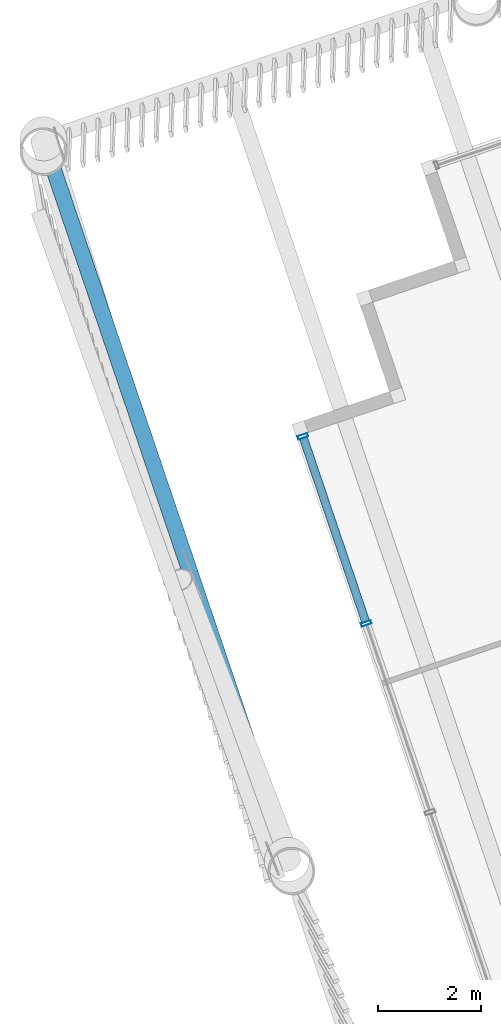
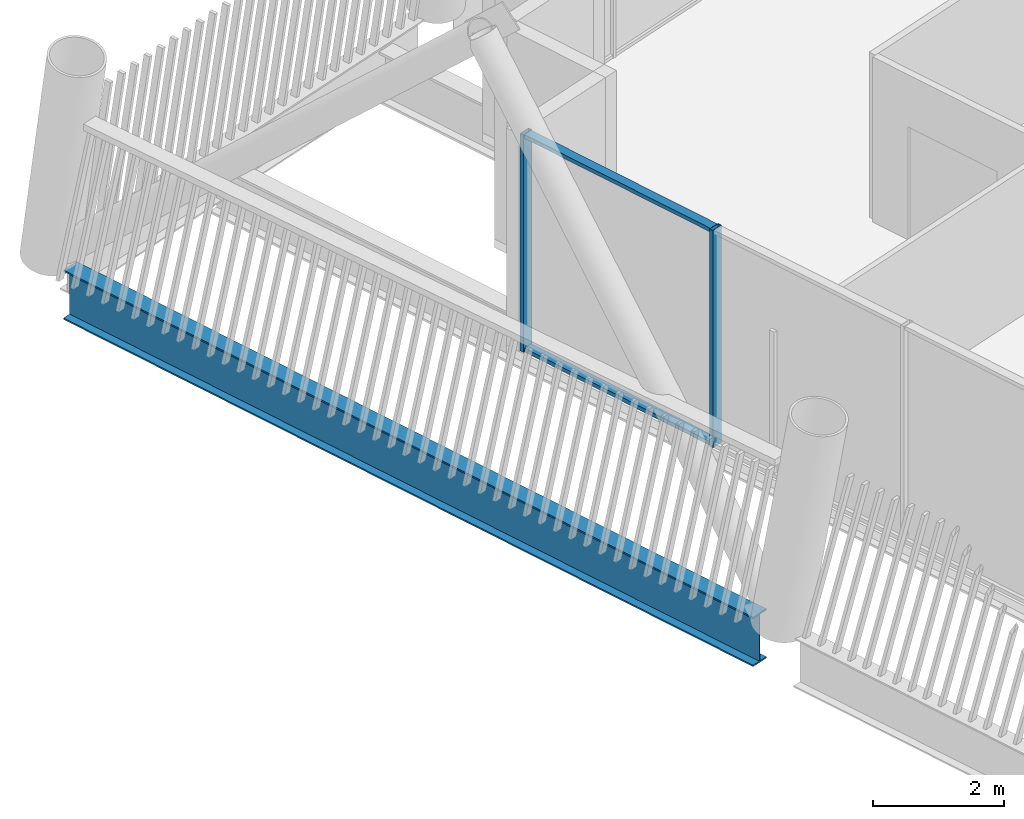
# One storey, part 3 of 35: 4 members, 1 beam, 1 element without a shape of its own.
"""IFC4 building model written with IfcOpenShell, lengths in metres."""

from ifc_helpers import new_model, si_unit, direction, frame, origin, origin_2d, place, context, subcontext, project, spatial, hollow_rectangle, i_section, extrude, material, layer, layer_set, material_profile, profile_set, type_object, element, aggregate, save


model = new_model("IFC4")

# Units and contexts
model_context = context("Model", 3, precision=1e-05, world=origin(), true_north=direction((0.0, 1.0)))
body_context = subcontext(model_context, "Body", "Model", "MODEL_VIEW")
ifc_project = project(units=[si_unit("LENGTHUNIT", "METRE"), si_unit("AREAUNIT", "SQUARE_METRE"), si_unit("VOLUMEUNIT", "CUBIC_METRE"), si_unit("PLANEANGLEUNIT", "RADIAN"), si_unit("MASSUNIT", "GRAM", prefix="KILO")], contexts=[model_context])

# Site, building, storey
site_placement = place(None, origin())
site = spatial("IfcSite", under=ifc_project, at=site_placement, CompositionType="ELEMENT")
building_placement = place(site_placement, origin())
building = spatial("IfcBuilding", under=site, at=building_placement, Name="Tarsis Ring Headquarters", CompositionType="ELEMENT")
storey_placement = place(building_placement, frame((0.0, 0.0, 360.800048828125)))
storey = spatial("IfcBuildingStorey", under=building, at=storey_placement, Name="L85", CompositionType="ELEMENT", Elevation=360.800048828125)

# Curtain wall, members
ifc_material_1 = material(Name="Aluminium curtain wall", Category="aluminium")
ifc_layer = layer(ifc_material_1, 0.199951171875)
ifc_layer_set = layer_set([ifc_layer], Name="Curtain wall executive tip")
curtain_wall_type = type_object("IfcCurtainWallType", Name="Curtain wall executive tip", PredefinedType="NOTDEFINED", material=ifc_layer_set)
curtain_wall_placement = place(storey_placement, origin())
curtain_wall = element("IfcCurtainWall", 1, at=curtain_wall_placement, inside=storey, type_object=curtain_wall_type, Name="Curtain wall L85-36", PredefinedType="NOTDEFINED")
ifc_material_2 = material(Name="Aluminium mullion", Category="aluminium")
ifc_material_profile_1 = material_profile(ifc_material_2, hollow_rectangle(XDim=0.199951171875, YDim=0.070068359375, WallThickness=0.0048828125, at=origin_2d()), Name="RHS 200x70x5")
ifc_profile_set_1 = profile_set([ifc_material_profile_1], Name="Aluminium mullion")
member_type_1 = type_object("IfcMemberType", Name="Curtain wall mullion executive tip RHS 200x70x5", PredefinedType="MULLION", material=ifc_profile_set_1)
member_1_placement = place(storey_placement, frame((-40.24169921875, -5.49072265625, 0.0), z_axis=(0.0, 0.0, 1.0), x_axis=(0.94709829922, 0.32094362685, 0.0)))
member_1 = element("IfcMember", 2, at=member_1_placement, type_object=member_type_1, Name="CW-E mullion 1", PredefinedType="MULLION", context=body_context, shape_type="SweptSolid", body=[
    extrude(hollow_rectangle(XDim=0.199951171875, YDim=0.070068359375, WallThickness=0.0048828125, at=origin_2d()), origin(), (0.0, 0.0, 1.0), 4.0400390625),
])
member_2_placement = place(storey_placement, frame((-39.00927734375, -9.127685546875, 0.0), z_axis=(0.0, 0.0, 1.0), x_axis=(0.94709829922, 0.32094362685, 0.0)))
member_2 = element("IfcMember", 3, at=member_2_placement, type_object=member_type_1, Name="CW-E mullion 2", PredefinedType="MULLION", context=body_context, shape_type="SweptSolid", body=[
    extrude(hollow_rectangle(XDim=0.199951171875, YDim=0.070068359375, WallThickness=0.0048828125, at=origin_2d()), origin(), (0.0, 0.0, 1.0), 4.0400390625),
])
ifc_material_3 = material(Name="Aluminium transom", Category="aluminium")
ifc_material_profile_2 = material_profile(ifc_material_3, hollow_rectangle(XDim=0.159912109375, YDim=0.070068359375, WallThickness=0.0048828125, at=origin_2d()), Name="RHS 160x70x5")
ifc_profile_set_2 = profile_set([ifc_material_profile_2], Name="Aluminium transom")
member_type_2 = type_object("IfcMemberType", Name="Curtain wall transom executive tip RHS 160x70x5", PredefinedType="USERDEFINED", material=ifc_profile_set_2)
member_3_placement = place(storey_placement, frame((-40.23046875, -5.52392578125, 0.034912109375), z_axis=(0.320944769376, -0.94709791205, 0.0), x_axis=(0.94709791205, 0.320944769376, 0.0)))
member_3 = element("IfcMember", 4, at=member_3_placement, type_object=member_type_2, Name="CW-E transom 1.1", ObjectType="TRANSOM", PredefinedType="USERDEFINED", context=body_context, shape_type="SweptSolid", body=[
    extrude(hollow_rectangle(XDim=0.159912109375, YDim=0.070068359375, WallThickness=0.0048828125, at=origin_2d()), origin(), (0.0, 0.0, 1.0), 3.77001953125),
])
member_4_placement = place(storey_placement, frame((-40.23046875, -5.52392578125, 4.0048828125), z_axis=(0.320944769376, -0.94709791205, 0.0), x_axis=(0.94709791205, 0.320944769376, 0.0)))
member_4 = element("IfcMember", 5, at=member_4_placement, type_object=member_type_2, Name="CW-E transom 1.2", ObjectType="TRANSOM", PredefinedType="USERDEFINED", context=body_context, shape_type="SweptSolid", body=[
    extrude(hollow_rectangle(XDim=0.159912109375, YDim=0.070068359375, WallThickness=0.0048828125, at=origin_2d()), origin(), (0.0, 0.0, 1.0), 3.77001953125),
])
aggregate(curtain_wall, [member_1, member_2, member_3, member_4])

# Beam
ifc_material_4 = material(Name="Structural steel S355", Category="steel")
ifc_material_profile_3 = material_profile(ifc_material_4, i_section(OverallWidth=0.3046875, OverallDepth=0.91943359375, WebThickness=0.017333984375, FlangeThickness=0.02783203125, at=origin_2d()), Name="W36x170")
ifc_profile_set_3 = profile_set([ifc_material_profile_3], Name="Structural steel S355")
beam_type = type_object("IfcBeamType", Name="XG Ring girder W36x170", PredefinedType="BEAM", material=ifc_profile_set_3)
beam_placement = place(storey_placement, frame((-45.15380859375, -0.109130859375, -0.459716796875), z_axis=(0.320945277184, -0.947097739968, 0.0), x_axis=(0.947097739968, 0.320945277184, 0.0)))
element("IfcBeam", 6, at=beam_placement, inside=storey, type_object=beam_type, Name="Ring girder XG4", PredefinedType="BEAM", context=body_context, shape_type="SweptSolid", body=[
    extrude(i_section(OverallWidth=0.3046875, OverallDepth=0.91943359375, WebThickness=0.017333984375, FlangeThickness=0.02783203125, at=origin_2d()), origin(), (0.0, 0.0, 1.0), 13.97705078125),
])

save(model, "model.ifc")
